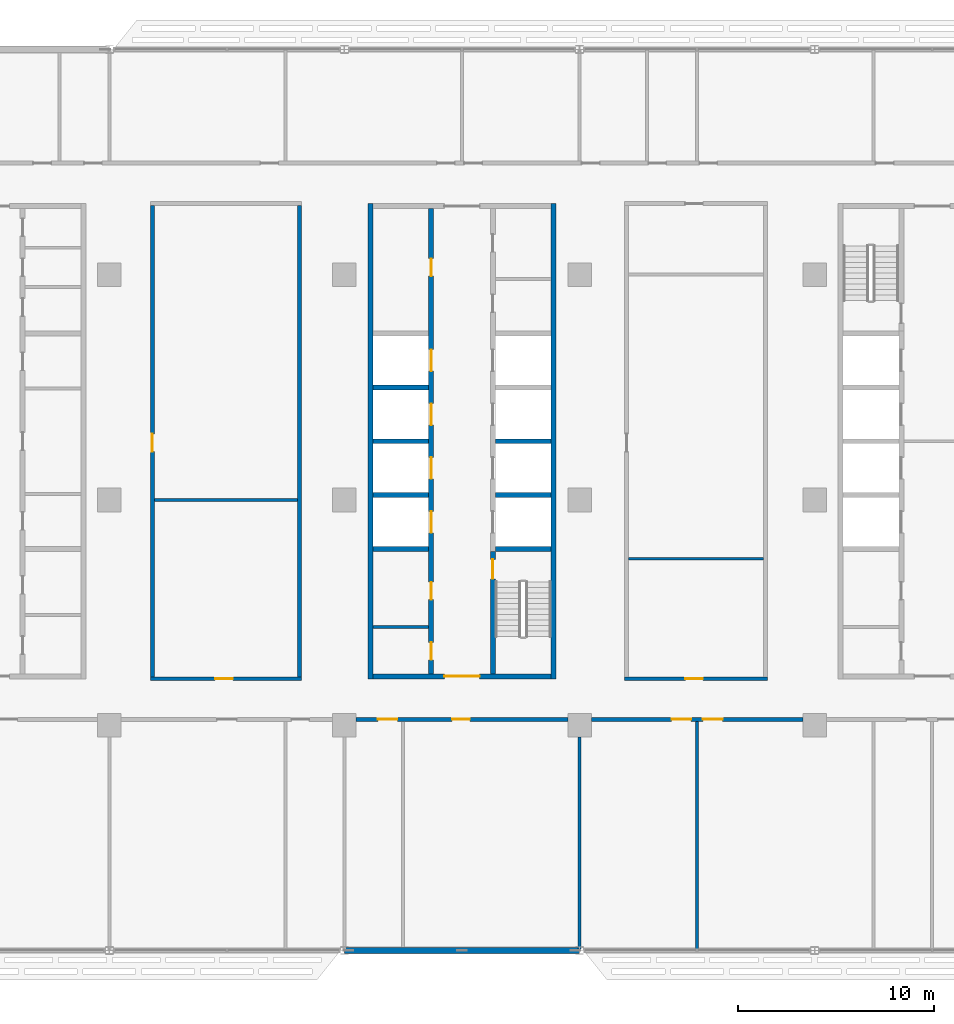
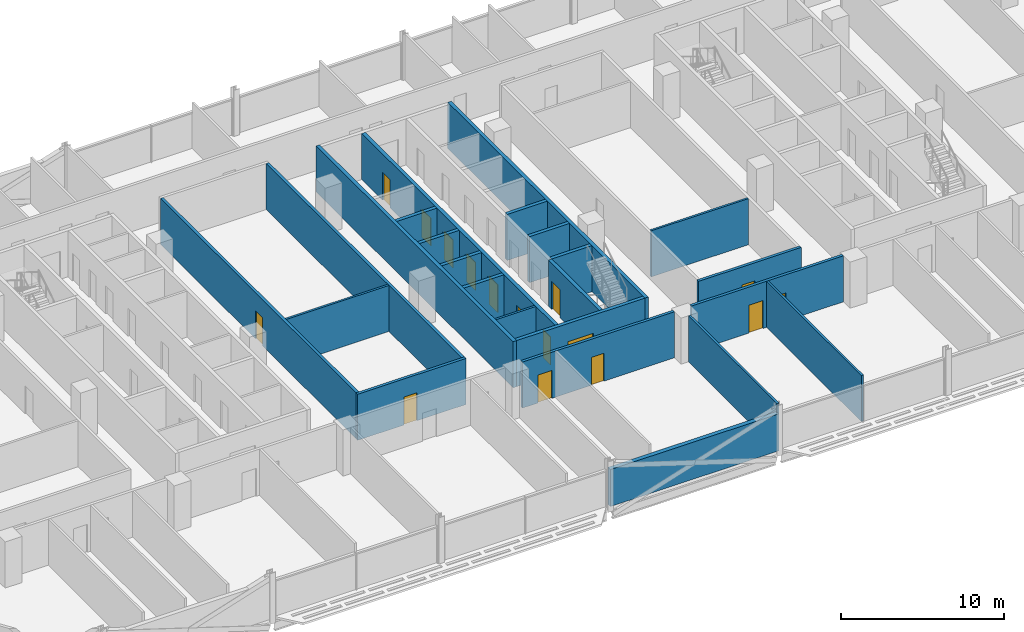
# One storey, part 12 of 27: 24 walls, 16 doors, 16 openings.
"""IFC4 building model written with IfcOpenShell, lengths in metres."""

from ifc_helpers import new_model, si_unit, direction, frame, frame_2d, origin, place, context, subcontext, project, spatial, rectangle, extrude, material, layer, layer_set, type_object, element, fill, save


model = new_model("IFC4")

# Units and contexts
model_context = context("Model", 3, precision=1e-05, world=origin(), true_north=direction((0.0, 1.0)))
body_context = subcontext(model_context, "Body", "Model", "MODEL_VIEW")
ifc_project = project(units=[si_unit("LENGTHUNIT", "METRE"), si_unit("AREAUNIT", "SQUARE_METRE"), si_unit("VOLUMEUNIT", "CUBIC_METRE"), si_unit("PLANEANGLEUNIT", "RADIAN"), si_unit("MASSUNIT", "GRAM", prefix="KILO")], contexts=[model_context])

# Site, building, storey
site_placement = place(None, origin())
site = spatial("IfcSite", under=ifc_project, at=site_placement, CompositionType="ELEMENT")
building_placement = place(site_placement, origin())
building = spatial("IfcBuilding", under=site, at=building_placement, Name="Mahtab Terrace Research Tower", CompositionType="ELEMENT")
storey_placement = place(building_placement, frame((0.0, 0.0, 182.0)))
storey = spatial("IfcBuildingStorey", under=building, at=storey_placement, Name="L43", CompositionType="ELEMENT", Elevation=182.0)

# Walls
ifc_material_1 = material(Name="Gypsum board partition")
ifc_layer_1 = layer(ifc_material_1, 0.14990234375)
ifc_layer_set_1 = layer_set([ifc_layer_1], Name="Core partition 150")
wall_type_1 = type_object("IfcWallType", Name="Core partition 150", PredefinedType="PARTITIONING", material=ifc_layer_set_1)
wall_1_placement = place(storey_placement, frame((-4.550048828125, -6.47509765625, 0.0), z_axis=(0.0, 0.0, 1.0), x_axis=(1.0, 0.0, 0.0)))
element("IfcWall", 1, at=wall_1_placement, inside=storey, type_object=wall_type_1, Name="Core wall B pWS-948", PredefinedType="PARTITIONING", context=body_context, shape_type="SweptSolid", body=[
    extrude(rectangle(XDim=2.85009765625, YDim=0.14990234375, at=frame_2d((1.425048828125, 0.0))), origin(), (0.0, 0.0, 1.0), 3.4599609375),
])
ifc_material_2 = material(Name="Concrete C70/85", Category="concrete")
ifc_layer_2 = layer(ifc_material_2, 0.25)
ifc_layer_set_2 = layer_set([ifc_layer_2], Name="Core wall 250")
wall_type_2 = type_object("IfcWallType", Name="Core wall 250", PredefinedType="SOLIDWALL", material=ifc_layer_set_2)
for number, where, z_axis, x_axis, name in (
    (2, (-4.675048828125, 15.125, 0.0), (0.0, 0.0, 1.0), (0.0, -1.0, 0.0), "Core wall B outerW"),
    (3, (4.675048828125, -9.125, 0.0), (0.0, 0.0, 1.0), (0.0, 1.0, 0.0), "Core wall B outerE"),
):
    element("IfcWall", number, at=place(storey_placement, frame(where, z_axis=z_axis, x_axis=x_axis)), inside=storey, type_object=wall_type_2, Name=name, PredefinedType="SOLIDWALL", context=body_context, shape_type="SweptSolid", body=[
        extrude(rectangle(XDim=24.25, YDim=0.25, at=frame_2d((12.125, 0.0))), origin(), (0.0, 0.0, 1.0), 3.4599609375),
    ])

# Wall, opening, door
wall_2_placement = place(storey_placement, frame((4.550048828125, -9.0, 0.0), z_axis=(0.0, 0.0, 1.0), x_axis=(-1.0, 0.0, 0.0)))
wall_2 = element("IfcWall", 4, at=wall_2_placement, inside=storey, type_object=wall_type_2, Name="Core wall B endS", PredefinedType="SOLIDWALL", context=body_context, shape_type="SweptSolid", body=[
    extrude(rectangle(XDim=9.10009765625, YDim=0.25, at=frame_2d((4.550048828125, 0.0))), origin(), (0.0, 0.0, 1.0), 3.4599609375),
])
opening_1_placement = place(wall_2_placement, frame((3.64990234375, 0.0, 0.0)))
opening_1 = element("IfcOpeningElement", 5, at=opening_1_placement, cuts=wall_2, Name="Opening B-S1", PredefinedType="OPENING", context=body_context, shape_type="SweptSolid", body=[
    extrude(rectangle(XDim=1.800048828125, YDim=2.10009765625, at=frame_2d((0.89990234375, 1.050048828125))), frame((0.0, 0.135009765625, 0.0), z_axis=(0.0, -1.0, 0.0), x_axis=(1.0, 0.0, 0.0)), (0.0, 0.0, 1.0), 0.27001953125),
])
ifc_material_3 = material(Name="Steel fire door", Category="steel")
door_type_1 = type_object("IfcDoorType", Name="Lobby double door 1800x2100 1 HR", OperationType="DOUBLE_DOOR_SINGLE_SWING", PredefinedType="DOOR", material=ifc_material_3)
door_1_placement = place(opening_1_placement, origin())
door_1 = element("IfcDoor", 6, at=door_1_placement, inside=storey, type_object=door_type_1, Name="Core entrance door B S", OperationType="DOUBLE_DOOR_SINGLE_SWING", OverallHeight=2.10009765625, OverallWidth=1.800048828125, PredefinedType="DOOR", context=body_context, shape_type="SweptSolid", body=[
    extrude(rectangle(XDim=1.800048828125, YDim=2.10009765625, at=frame_2d((0.89990234375, 1.050048828125))), frame((0.0, 0.02490234375, 0.0), z_axis=(0.0, -1.0, 0.0), x_axis=(1.0, 0.0, 0.0)), (0.0, 0.0, 1.0), 0.050048828125),
])
fill(opening_1, door_1)

# Wall, openings, doors
wall_3_placement = place(storey_placement, frame((-1.574951171875, -8.875, 0.0), z_axis=(0.0, 0.0, 1.0), x_axis=(0.0, 1.0, 0.0)))
wall_3 = element("IfcWall", 7, at=wall_3_placement, inside=storey, type_object=wall_type_2, Name="Core wall B innerWSLN", PredefinedType="SOLIDWALL", context=body_context, shape_type="SweptSolid", body=[
    extrude(rectangle(XDim=23.75, YDim=0.25, at=frame_2d((11.875, 0.0))), origin(), (0.0, 0.0, 1.0), 3.4599609375),
])
opening_2_placement = place(wall_3_placement, frame((7.199951171875, 0.0, 0.0)))
opening_2 = element("IfcOpeningElement", 8, at=opening_2_placement, cuts=wall_3, Name="Opening LD09-L43", PredefinedType="OPENING", context=body_context, shape_type="SweptSolid", body=[
    extrude(rectangle(XDim=1.10009765625, YDim=2.10009765625, at=frame_2d((0.550048828125, 1.050048828125))), frame((0.0, 0.135009765625, 0.0), z_axis=(0.0, -1.0, 0.0), x_axis=(1.0, 0.0, 0.0)), (0.0, 0.0, 1.0), 0.27001953125),
])
opening_3_placement = place(wall_3_placement, frame((9.949951171875, 0.0, 0.0)))
opening_3 = element("IfcOpeningElement", 9, at=opening_3_placement, cuts=wall_3, Name="Opening LD10-L43", PredefinedType="OPENING", context=body_context, shape_type="SweptSolid", body=[
    extrude(rectangle(XDim=1.10009765625, YDim=2.10009765625, at=frame_2d((0.550048828125, 1.050048828125))), frame((0.0, 0.135009765625, 0.0), z_axis=(0.0, -1.0, 0.0), x_axis=(1.0, 0.0, 0.0)), (0.0, 0.0, 1.0), 0.27001953125),
])
opening_4_placement = place(wall_3_placement, frame((12.699951171875, 0.0, 0.0)))
opening_4 = element("IfcOpeningElement", 10, at=opening_4_placement, cuts=wall_3, Name="Opening LD11-L43", PredefinedType="OPENING", context=body_context, shape_type="SweptSolid", body=[
    extrude(rectangle(XDim=1.10009765625, YDim=2.10009765625, at=frame_2d((0.550048828125, 1.050048828125))), frame((0.0, 0.135009765625, 0.0), z_axis=(0.0, -1.0, 0.0), x_axis=(1.0, 0.0, 0.0)), (0.0, 0.0, 1.0), 0.27001953125),
])
opening_5_placement = place(wall_3_placement, frame((15.449951171875, 0.0, 0.0)))
opening_5 = element("IfcOpeningElement", 11, at=opening_5_placement, cuts=wall_3, Name="Opening LD12-L43", PredefinedType="OPENING", context=body_context, shape_type="SweptSolid", body=[
    extrude(rectangle(XDim=1.10009765625, YDim=2.10009765625, at=frame_2d((0.550048828125, 1.050048828125))), frame((0.0, 0.135009765625, 0.0), z_axis=(0.0, -1.0, 0.0), x_axis=(1.0, 0.0, 0.0)), (0.0, 0.0, 1.0), 0.27001953125),
])
opening_6_placement = place(wall_3_placement, frame((0.71240234375, 0.0, 0.0)))
opening_6 = element("IfcOpeningElement", 12, at=opening_6_placement, cuts=wall_3, Name="Opening B-R1", PredefinedType="OPENING", context=body_context, shape_type="SweptSolid", body=[
    extrude(rectangle(XDim=0.89990234375, YDim=2.10009765625, at=frame_2d((0.449951171875, 1.050048828125))), frame((0.0, 0.135009765625, 0.0), z_axis=(0.0, -1.0, 0.0), x_axis=(1.0, 0.0, 0.0)), (0.0, 0.0, 1.0), 0.27001953125),
])
opening_7_placement = place(wall_3_placement, frame((3.78759765625, 0.0, 0.0)))
opening_7 = element("IfcOpeningElement", 13, at=opening_7_placement, cuts=wall_3, Name="Opening B-R2", PredefinedType="OPENING", context=body_context, shape_type="SweptSolid", body=[
    extrude(rectangle(XDim=0.89990234375, YDim=2.10009765625, at=frame_2d((0.449951171875, 1.050048828125))), frame((0.0, 0.135009765625, 0.0), z_axis=(0.0, -1.0, 0.0), x_axis=(1.0, 0.0, 0.0)), (0.0, 0.0, 1.0), 0.27001953125),
])
opening_8_placement = place(wall_3_placement, frame((20.300048828125, 0.0, 0.0)))
opening_8 = element("IfcOpeningElement", 14, at=opening_8_placement, cuts=wall_3, Name="Opening B-R3", PredefinedType="OPENING", context=body_context, shape_type="SweptSolid", body=[
    extrude(rectangle(XDim=0.89990234375, YDim=2.10009765625, at=frame_2d((0.449951171875, 1.050048828125))), frame((0.0, 0.135009765625, 0.0), z_axis=(0.0, -1.0, 0.0), x_axis=(1.0, 0.0, 0.0)), (0.0, 0.0, 1.0), 0.27001953125),
])
ifc_material_4 = material(Name="Stainless steel AISI 304", Category="steel")
door_type_2 = type_object("IfcDoorType", Name="Landing door 1100x2100", OperationType="DOUBLE_DOOR_SLIDING", PredefinedType="DOOR", material=ifc_material_4)
door_2_placement = place(opening_2_placement, origin())
door_2 = element("IfcDoor", 15, at=door_2_placement, inside=storey, type_object=door_type_2, Name="Landing door HR1 L43", OperationType="DOUBLE_DOOR_SLIDING", OverallHeight=2.10009765625, OverallWidth=1.10009765625, PredefinedType="DOOR", context=body_context, shape_type="SweptSolid", body=[
    extrude(rectangle(XDim=1.10009765625, YDim=2.10009765625, at=frame_2d((0.550048828125, 1.050048828125))), frame((0.0, 0.02490234375, 0.0), z_axis=(0.0, -1.0, 0.0), x_axis=(1.0, 0.0, 0.0)), (0.0, 0.0, 1.0), 0.050048828125),
])
fill(opening_2, door_2)
door_3_placement = place(opening_3_placement, origin())
door_3 = element("IfcDoor", 16, at=door_3_placement, inside=storey, type_object=door_type_2, Name="Landing door HR2 L43", OperationType="DOUBLE_DOOR_SLIDING", OverallHeight=2.10009765625, OverallWidth=1.10009765625, PredefinedType="DOOR", context=body_context, shape_type="SweptSolid", body=[
    extrude(rectangle(XDim=1.10009765625, YDim=2.10009765625, at=frame_2d((0.550048828125, 1.050048828125))), frame((0.0, 0.02490234375, 0.0), z_axis=(0.0, -1.0, 0.0), x_axis=(1.0, 0.0, 0.0)), (0.0, 0.0, 1.0), 0.050048828125),
])
fill(opening_3, door_3)
door_4_placement = place(opening_4_placement, origin())
door_4 = element("IfcDoor", 17, at=door_4_placement, inside=storey, type_object=door_type_2, Name="Landing door HR3 L43", OperationType="DOUBLE_DOOR_SLIDING", OverallHeight=2.10009765625, OverallWidth=1.10009765625, PredefinedType="DOOR", context=body_context, shape_type="SweptSolid", body=[
    extrude(rectangle(XDim=1.10009765625, YDim=2.10009765625, at=frame_2d((0.550048828125, 1.050048828125))), frame((0.0, 0.02490234375, 0.0), z_axis=(0.0, -1.0, 0.0), x_axis=(1.0, 0.0, 0.0)), (0.0, 0.0, 1.0), 0.050048828125),
])
fill(opening_4, door_4)
door_5_placement = place(opening_5_placement, origin())
door_5 = element("IfcDoor", 18, at=door_5_placement, inside=storey, type_object=door_type_2, Name="Landing door HR4 L43", OperationType="DOUBLE_DOOR_SLIDING", OverallHeight=2.10009765625, OverallWidth=1.10009765625, PredefinedType="DOOR", context=body_context, shape_type="SweptSolid", body=[
    extrude(rectangle(XDim=1.10009765625, YDim=2.10009765625, at=frame_2d((0.550048828125, 1.050048828125))), frame((0.0, 0.02490234375, 0.0), z_axis=(0.0, -1.0, 0.0), x_axis=(1.0, 0.0, 0.0)), (0.0, 0.0, 1.0), 0.050048828125),
])
fill(opening_5, door_5)
door_type_3 = type_object("IfcDoorType", Name="Room door 900x2100 1 HR", OperationType="NOTDEFINED", PredefinedType="DOOR", material=ifc_material_3)
door_6_placement = place(opening_6_placement, origin())
door_6 = element("IfcDoor", 19, at=door_6_placement, inside=storey, type_object=door_type_3, Name="Mechanical riser room door", OperationType="SINGLE_SWING_LEFT", OverallHeight=2.10009765625, OverallWidth=0.89990234375, PredefinedType="DOOR", context=body_context, shape_type="SweptSolid", body=[
    extrude(rectangle(XDim=0.89990234375, YDim=2.10009765625, at=frame_2d((0.449951171875, 1.050048828125))), frame((0.0, 0.02490234375, 0.0), z_axis=(0.0, -1.0, 0.0), x_axis=(1.0, 0.0, 0.0)), (0.0, 0.0, 1.0), 0.050048828125),
])
fill(opening_6, door_6)
door_7_placement = place(opening_7_placement, origin())
door_7 = element("IfcDoor", 20, at=door_7_placement, inside=storey, type_object=door_type_3, Name="Chemical store door", OperationType="SINGLE_SWING_RIGHT", OverallHeight=2.10009765625, OverallWidth=0.89990234375, PredefinedType="DOOR", context=body_context, shape_type="SweptSolid", body=[
    extrude(rectangle(XDim=0.89990234375, YDim=2.10009765625, at=frame_2d((0.449951171875, 1.050048828125))), frame((0.0, 0.02490234375, 0.0), z_axis=(0.0, -1.0, 0.0), x_axis=(1.0, 0.0, 0.0)), (0.0, 0.0, 1.0), 0.050048828125),
])
fill(opening_7, door_7)
door_8_placement = place(opening_8_placement, origin())
door_8 = element("IfcDoor", 21, at=door_8_placement, inside=storey, type_object=door_type_3, Name="Gas cylinder store door", OperationType="SINGLE_SWING_LEFT", OverallHeight=2.10009765625, OverallWidth=0.89990234375, PredefinedType="DOOR", context=body_context, shape_type="SweptSolid", body=[
    extrude(rectangle(XDim=0.89990234375, YDim=2.10009765625, at=frame_2d((0.449951171875, 1.050048828125))), frame((0.0, 0.02490234375, 0.0), z_axis=(0.0, -1.0, 0.0), x_axis=(1.0, 0.0, 0.0)), (0.0, 0.0, 1.0), 0.050048828125),
])
fill(opening_8, door_8)

# Wall, opening, door
wall_4_placement = place(storey_placement, frame((1.574951171875, -8.875, 0.0), z_axis=(0.0, 0.0, 1.0), x_axis=(0.0, 1.0, 0.0)))
wall_4 = element("IfcWall", 22, at=wall_4_placement, inside=storey, type_object=wall_type_2, Name="Core wall B innerES", PredefinedType="SOLIDWALL", context=body_context, shape_type="SweptSolid", body=[
    extrude(rectangle(XDim=6.25, YDim=0.25, at=frame_2d((3.125, 0.0))), origin(), (0.0, 0.0, 1.0), 3.4599609375),
])
opening_9_placement = place(wall_4_placement, frame((4.85009765625, 0.0, 0.0)))
opening_9 = element("IfcOpeningElement", 23, at=opening_9_placement, cuts=wall_4, Name="Opening B-ST2", PredefinedType="OPENING", context=body_context, shape_type="SweptSolid", body=[
    extrude(rectangle(XDim=1.0, YDim=2.10009765625, at=frame_2d((0.5, 1.050048828125))), frame((0.0, 0.135009765625, 0.0), z_axis=(0.0, -1.0, 0.0), x_axis=(1.0, 0.0, 0.0)), (0.0, 0.0, 1.0), 0.27001953125),
])
door_type_4 = type_object("IfcDoorType", Name="Stair door 1000x2100 1.5 HR", OperationType="NOTDEFINED", PredefinedType="DOOR", material=ifc_material_3)
door_9_placement = place(opening_9_placement, origin())
door_9 = element("IfcDoor", 24, at=door_9_placement, inside=storey, type_object=door_type_4, Name="Stair door ST2 L43", OperationType="SINGLE_SWING_RIGHT", OverallHeight=2.10009765625, OverallWidth=1.0, PredefinedType="DOOR", context=body_context, shape_type="SweptSolid", body=[
    extrude(rectangle(XDim=1.0, YDim=2.10009765625, at=frame_2d((0.5, 1.050048828125))), frame((0.0, 0.02490234375, 0.0), z_axis=(0.0, -1.0, 0.0), x_axis=(1.0, 0.0, 0.0)), (0.0, 0.0, 1.0), 0.050048828125),
])
fill(opening_9, door_9)

# Walls
for number, where, z_axis, x_axis, name in (
    (25, (-4.550048828125, -2.5, 0.0), (0.0, 0.0, 1.0), (1.0, 0.0, 0.0), "Core wall B divW0"),
    (26, (-4.550048828125, 0.25, 0.0), (0.0, 0.0, 1.0), (1.0, 0.0, 0.0), "Core wall B divW1"),
    (27, (-4.550048828125, 3.0, 0.0), (0.0, 0.0, 1.0), (1.0, 0.0, 0.0), "Core wall B divW2"),
    (28, (-4.550048828125, 5.75, 0.0), (0.0, 0.0, 1.0), (1.0, 0.0, 0.0), "Core wall B divW3"),
    (29, (1.699951171875, -2.5, 0.0), (0.0, 0.0, 1.0), (1.0, 0.0, 0.0), "Core wall B divE0"),
    (30, (1.699951171875, 0.25, 0.0), (0.0, 0.0, 1.0), (1.0, 0.0, 0.0), "Core wall B divE1"),
    (31, (1.699951171875, 3.0, 0.0), (0.0, 0.0, 1.0), (1.0, 0.0, 0.0), "Core wall B divE2"),
):
    element("IfcWall", number, at=place(storey_placement, frame(where, z_axis=z_axis, x_axis=x_axis)), inside=storey, type_object=wall_type_2, Name=name, PredefinedType="SOLIDWALL", context=body_context, shape_type="SweptSolid", body=[
        extrude(rectangle(XDim=2.85009765625, YDim=0.25, at=frame_2d((1.425048828125, 0.0))), origin(), (0.0, 0.0, 1.0), 3.4599609375),
    ])
ifc_material_5 = material(Name="Black aluminium cladding panel", Category="aluminium")
ifc_layer_3 = layer(ifc_material_5, 0.300048828125)
ifc_layer_set_3 = layer_set([ifc_layer_3], Name="Opaque facade wall 300")
wall_type_3 = type_object("IfcWallType", Name="Opaque facade wall 300", PredefinedType="NOTDEFINED", material=ifc_layer_set_3)
wall_5_placement = place(storey_placement, frame((-5.985107421875, -23.0, 0.0), z_axis=(0.0, 0.0, 1.0), x_axis=(1.0, 0.0, 0.0)))
element("IfcWall", 32, at=wall_5_placement, inside=storey, type_object=wall_type_3, Name="Opaque facade wall L43 S26", PredefinedType="NOTDEFINED", context=body_context, shape_type="SweptSolid", body=[
    extrude(rectangle(XDim=11.97021484375, YDim=0.300048828125, at=frame_2d((5.985107421875, 0.0))), origin(), (0.0, 0.0, 1.0), 2.78173828125),
])

# Wall, openings, doors
ifc_material_6 = material(Name="Gypsum board corridor wall on steel studs", Category="steel")
ifc_layer_4 = layer(ifc_material_6, 0.199951171875)
ifc_layer_set_4 = layer_set([ifc_layer_4], Name="WALL CORRIDOR 200")
wall_type_4 = type_object("IfcWallType", Name="WALL CORRIDOR 200", PredefinedType="PARTITIONING", material=ifc_layer_set_4)
wall_6_placement = place(storey_placement, frame((-5.39990234375, -11.199951171875, 0.0), z_axis=(0.0, 0.0, 1.0), x_axis=(1.0, 0.0, 0.0)))
wall_6 = element("IfcWall", 33, at=wall_6_placement, inside=storey, type_object=wall_type_4, Name="L43-W005", PredefinedType="PARTITIONING", context=body_context, shape_type="SweptSolid", body=[
    extrude(rectangle(XDim=10.7998046875, YDim=0.199951171875, at=frame_2d((5.39990234375, 0.0))), origin(), (0.0, 0.0, 1.0), 3.4599609375),
])
opening_10_placement = place(wall_6_placement, frame((1.10009765625, 0.0, 0.0)))
opening_10 = element("IfcOpeningElement", 34, at=opening_10_placement, cuts=wall_6, Name="Opening L43-108", PredefinedType="OPENING", context=body_context, shape_type="SweptSolid", body=[
    extrude(rectangle(XDim=1.0, YDim=2.10009765625, at=frame_2d((0.5, 1.050048828125))), frame((0.0, 0.10986328125, 0.0), z_axis=(0.0, -1.0, 0.0), x_axis=(1.0, 0.0, 0.0)), (0.0, 0.0, 1.0), 0.219970703125),
])
opening_11_placement = place(wall_6_placement, frame((4.89990234375, 0.0, 0.0)))
opening_11 = element("IfcOpeningElement", 35, at=opening_11_placement, cuts=wall_6, Name="Opening L43-109", PredefinedType="OPENING", context=body_context, shape_type="SweptSolid", body=[
    extrude(rectangle(XDim=0.89990234375, YDim=2.10009765625, at=frame_2d((0.449951171875, 1.050048828125))), frame((0.0, 0.10986328125, 0.0), z_axis=(0.0, -1.0, 0.0), x_axis=(1.0, 0.0, 0.0)), (0.0, 0.0, 1.0), 0.219970703125),
])
ifc_material_7 = material(Name="Timber door leaf in steel frame", Category="steel")
door_type_5 = type_object("IfcDoorType", Name="DOOR 0900X2100 FD30S", OperationType="SINGLE_SWING_LEFT", PredefinedType="DOOR", material=ifc_material_7)
door_10_placement = place(opening_11_placement, origin())
door_10 = element("IfcDoor", 36, at=door_10_placement, inside=storey, type_object=door_type_5, Name="Door L43-109", OperationType="SINGLE_SWING_RIGHT", OverallHeight=2.10009765625, OverallWidth=0.89990234375, PredefinedType="DOOR", context=body_context, shape_type="SweptSolid", body=[
    extrude(rectangle(XDim=0.89990234375, YDim=2.10009765625, at=frame_2d((0.449951171875, 1.050048828125))), frame((0.0, 0.02490234375, 0.0), z_axis=(0.0, -1.0, 0.0), x_axis=(1.0, 0.0, 0.0)), (0.0, 0.0, 1.0), 0.050048828125),
])
fill(opening_11, door_10)
door_type_6 = type_object("IfcDoorType", Name="DOOR 1000X2100 FD30S", OperationType="SINGLE_SWING_LEFT", PredefinedType="DOOR", material=ifc_material_7)
door_11_placement = place(opening_10_placement, origin())
door_11 = element("IfcDoor", 37, at=door_11_placement, inside=storey, type_object=door_type_6, Name="Door L43-108", OperationType="SINGLE_SWING_RIGHT", OverallHeight=2.10009765625, OverallWidth=1.0, PredefinedType="DOOR", context=body_context, shape_type="SweptSolid", body=[
    extrude(rectangle(XDim=1.0, YDim=2.10009765625, at=frame_2d((0.5, 1.050048828125))), frame((0.0, 0.02490234375, 0.0), z_axis=(0.0, -1.0, 0.0), x_axis=(1.0, 0.0, 0.0)), (0.0, 0.0, 1.0), 0.050048828125),
])
fill(opening_10, door_11)

wall_7_placement = place(storey_placement, frame((6.60009765625, -11.199951171875, 0.0), z_axis=(0.0, 0.0, 1.0), x_axis=(1.0, 0.0, 0.0)))
wall_7 = element("IfcWall", 38, at=wall_7_placement, inside=storey, type_object=wall_type_4, Name="L43-W006", PredefinedType="PARTITIONING", context=body_context, shape_type="SweptSolid", body=[
    extrude(rectangle(XDim=10.7998046875, YDim=0.199951171875, at=frame_2d((5.39990234375, 0.0))), origin(), (0.0, 0.0, 1.0), 3.4599609375),
])
opening_12_placement = place(wall_7_placement, frame((4.10009765625, 0.0, 0.0)))
opening_12 = element("IfcOpeningElement", 39, at=opening_12_placement, cuts=wall_7, Name="Opening L43-110", PredefinedType="OPENING", context=body_context, shape_type="SweptSolid", body=[
    extrude(rectangle(XDim=1.0, YDim=2.10009765625, at=frame_2d((0.5, 1.050048828125))), frame((0.0, 0.10986328125, 0.0), z_axis=(0.0, -1.0, 0.0), x_axis=(1.0, 0.0, 0.0)), (0.0, 0.0, 1.0), 0.219970703125),
])
opening_13_placement = place(wall_7_placement, frame((5.699951171875, 0.0, 0.0)))
opening_13 = element("IfcOpeningElement", 40, at=opening_13_placement, cuts=wall_7, Name="Opening L43-111", PredefinedType="OPENING", context=body_context, shape_type="SweptSolid", body=[
    extrude(rectangle(XDim=1.0, YDim=2.10009765625, at=frame_2d((0.5, 1.050048828125))), frame((0.0, 0.10986328125, 0.0), z_axis=(0.0, -1.0, 0.0), x_axis=(1.0, 0.0, 0.0)), (0.0, 0.0, 1.0), 0.219970703125),
])
door_12_placement = place(opening_12_placement, origin())
door_12 = element("IfcDoor", 41, at=door_12_placement, inside=storey, type_object=door_type_6, Name="Door L43-110", OperationType="SINGLE_SWING_RIGHT", OverallHeight=2.10009765625, OverallWidth=1.0, PredefinedType="DOOR", context=body_context, shape_type="SweptSolid", body=[
    extrude(rectangle(XDim=1.0, YDim=2.10009765625, at=frame_2d((0.5, 1.050048828125))), frame((0.0, 0.02490234375, 0.0), z_axis=(0.0, -1.0, 0.0), x_axis=(1.0, 0.0, 0.0)), (0.0, 0.0, 1.0), 0.050048828125),
])
fill(opening_12, door_12)
door_13_placement = place(opening_13_placement, origin())
door_13 = element("IfcDoor", 42, at=door_13_placement, inside=storey, type_object=door_type_6, Name="Door L43-111", OperationType="SINGLE_SWING_LEFT", OverallHeight=2.10009765625, OverallWidth=1.0, PredefinedType="DOOR", context=body_context, shape_type="SweptSolid", body=[
    extrude(rectangle(XDim=1.0, YDim=2.10009765625, at=frame_2d((0.5, 1.050048828125))), frame((0.0, 0.02490234375, 0.0), z_axis=(0.0, -1.0, 0.0), x_axis=(1.0, 0.0, 0.0)), (0.0, 0.0, 1.0), 0.050048828125),
])
fill(opening_13, door_13)

# Wall, opening, door
wall_8_placement = place(storey_placement, frame((-15.89990234375, -9.125, 0.0), z_axis=(0.0, 0.0, 1.0), x_axis=(1.0, 0.0, 0.0)))
wall_8 = element("IfcWall", 43, at=wall_8_placement, inside=storey, type_object=wall_type_4, Name="L43-W011", PredefinedType="PARTITIONING", context=body_context, shape_type="SweptSolid", body=[
    extrude(rectangle(XDim=7.699951171875, YDim=0.199951171875, at=frame_2d((3.85009765625, 0.0))), origin(), (0.0, 0.0, 1.0), 3.4599609375),
])
opening_14_placement = place(wall_8_placement, frame((3.300048828125, 0.0, 0.0)))
opening_14 = element("IfcOpeningElement", 44, at=opening_14_placement, cuts=wall_8, Name="Opening L43-119", PredefinedType="OPENING", context=body_context, shape_type="SweptSolid", body=[
    extrude(rectangle(XDim=0.89990234375, YDim=2.10009765625, at=frame_2d((0.449951171875, 1.050048828125))), frame((0.0, 0.10986328125, 0.0), z_axis=(0.0, -1.0, 0.0), x_axis=(1.0, 0.0, 0.0)), (0.0, 0.0, 1.0), 0.219970703125),
])
door_14_placement = place(opening_14_placement, origin())
door_14 = element("IfcDoor", 45, at=door_14_placement, inside=storey, type_object=door_type_5, Name="Door L43-119", OperationType="SINGLE_SWING_LEFT", OverallHeight=2.10009765625, OverallWidth=0.89990234375, PredefinedType="DOOR", context=body_context, shape_type="SweptSolid", body=[
    extrude(rectangle(XDim=0.89990234375, YDim=2.10009765625, at=frame_2d((0.449951171875, 1.050048828125))), frame((0.0, 0.02490234375, 0.0), z_axis=(0.0, -1.0, 0.0), x_axis=(1.0, 0.0, 0.0)), (0.0, 0.0, 1.0), 0.050048828125),
])
fill(opening_14, door_14)

wall_9_placement = place(storey_placement, frame((8.300048828125, -9.125, 0.0), z_axis=(0.0, 0.0, 1.0), x_axis=(1.0, 0.0, 0.0)))
wall_9 = element("IfcWall", 46, at=wall_9_placement, inside=storey, type_object=wall_type_4, Name="L43-W012", PredefinedType="PARTITIONING", context=body_context, shape_type="SweptSolid", body=[
    extrude(rectangle(XDim=7.300048828125, YDim=0.199951171875, at=frame_2d((3.64990234375, 0.0))), origin(), (0.0, 0.0, 1.0), 3.4599609375),
])
opening_15_placement = place(wall_9_placement, frame((3.10009765625, 0.0, 0.0)))
opening_15 = element("IfcOpeningElement", 47, at=opening_15_placement, cuts=wall_9, Name="Opening L43-118", PredefinedType="OPENING", context=body_context, shape_type="SweptSolid", body=[
    extrude(rectangle(XDim=0.89990234375, YDim=2.10009765625, at=frame_2d((0.449951171875, 1.050048828125))), frame((0.0, 0.10986328125, 0.0), z_axis=(0.0, -1.0, 0.0), x_axis=(1.0, 0.0, 0.0)), (0.0, 0.0, 1.0), 0.219970703125),
])
door_15_placement = place(opening_15_placement, origin())
door_15 = element("IfcDoor", 48, at=door_15_placement, inside=storey, type_object=door_type_5, Name="Door L43-118", OperationType="SINGLE_SWING_LEFT", OverallHeight=2.10009765625, OverallWidth=0.89990234375, PredefinedType="DOOR", context=body_context, shape_type="SweptSolid", body=[
    extrude(rectangle(XDim=0.89990234375, YDim=2.10009765625, at=frame_2d((0.449951171875, 1.050048828125))), frame((0.0, 0.02490234375, 0.0), z_axis=(0.0, -1.0, 0.0), x_axis=(1.0, 0.0, 0.0)), (0.0, 0.0, 1.0), 0.050048828125),
])
fill(opening_15, door_15)

wall_10_placement = place(storey_placement, frame((-15.800048828125, -9.02490234375, 0.0), z_axis=(0.0, 0.0, 1.0), x_axis=(0.0, 1.0, 0.0)))
wall_10 = element("IfcWall", 49, at=wall_10_placement, inside=storey, type_object=wall_type_4, Name="L43-W038", PredefinedType="PARTITIONING", context=body_context, shape_type="SweptSolid", body=[
    extrude(rectangle(XDim=24.0498046875, YDim=0.199951171875, at=frame_2d((12.02490234375, 0.0))), origin(), (0.0, 0.0, 1.0), 3.4599609375),
])
opening_16_placement = place(wall_10_placement, frame((11.5, 0.0, 0.0)))
opening_16 = element("IfcOpeningElement", 50, at=opening_16_placement, cuts=wall_10, Name="Opening L43-124", PredefinedType="OPENING", context=body_context, shape_type="SweptSolid", body=[
    extrude(rectangle(XDim=0.89990234375, YDim=2.10009765625, at=frame_2d((0.449951171875, 1.050048828125))), frame((0.0, 0.10986328125, 0.0), z_axis=(0.0, -1.0, 0.0), x_axis=(1.0, 0.0, 0.0)), (0.0, 0.0, 1.0), 0.219970703125),
])
door_16_placement = place(opening_16_placement, origin())
door_16 = element("IfcDoor", 51, at=door_16_placement, inside=storey, type_object=door_type_5, Name="Door L43-124", OperationType="SINGLE_SWING_RIGHT", OverallHeight=2.10009765625, OverallWidth=0.89990234375, PredefinedType="DOOR", context=body_context, shape_type="SweptSolid", body=[
    extrude(rectangle(XDim=0.89990234375, YDim=2.10009765625, at=frame_2d((0.449951171875, 1.050048828125))), frame((0.0, 0.02490234375, 0.0), z_axis=(0.0, -1.0, 0.0), x_axis=(1.0, 0.0, 0.0)), (0.0, 0.0, 1.0), 0.050048828125),
])
fill(opening_16, door_16)

# Walls
wall_11_placement = place(storey_placement, frame((-8.300048828125, -9.02490234375, 0.0), z_axis=(0.0, 0.0, 1.0), x_axis=(0.0, 1.0, 0.0)))
element("IfcWall", 52, at=wall_11_placement, inside=storey, type_object=wall_type_4, Name="L43-W041", PredefinedType="PARTITIONING", context=body_context, shape_type="SweptSolid", body=[
    extrude(rectangle(XDim=24.0498046875, YDim=0.199951171875, at=frame_2d((12.02490234375, 0.0))), origin(), (0.0, 0.0, 1.0), 3.4599609375),
])
ifc_material_8 = material(Name="Gypsum board partition on steel studs", Category="steel")
ifc_layer_5 = layer(ifc_material_8, 0.14990234375)
ifc_layer_set_5 = layer_set([ifc_layer_5], Name="WALL PARTITION 150")
wall_type_5 = type_object("IfcWallType", Name="WALL PARTITION 150", PredefinedType="PARTITIONING", material=ifc_layer_set_5)
wall_12_placement = place(storey_placement, frame((8.5, -3.0, 0.0), z_axis=(0.0, 0.0, 1.0), x_axis=(1.0, 0.0, 0.0)))
element("IfcWall", 53, at=wall_12_placement, inside=storey, type_object=wall_type_5, Name="L43-W015", PredefinedType="PARTITIONING", context=body_context, shape_type="SweptSolid", body=[
    extrude(rectangle(XDim=6.89990234375, YDim=0.14990234375, at=frame_2d((3.449951171875, 0.0))), origin(), (0.0, 0.0, 1.0), 3.4599609375),
])
wall_13_placement = place(storey_placement, frame((-15.699951171875, 0.0, 0.0), z_axis=(0.0, 0.0, 1.0), x_axis=(1.0, 0.0, 0.0)))
element("IfcWall", 54, at=wall_13_placement, inside=storey, type_object=wall_type_5, Name="L43-W016", PredefinedType="PARTITIONING", context=body_context, shape_type="SweptSolid", body=[
    extrude(rectangle(XDim=7.300048828125, YDim=0.14990234375, at=frame_2d((3.64990234375, 0.0))), origin(), (0.0, 0.0, 1.0), 3.4599609375),
])
wall_14_placement = place(storey_placement, frame((6.0, -22.97509765625, 0.0), z_axis=(0.0, 0.0, 1.0), x_axis=(0.0, 1.0, 0.0)))
element("IfcWall", 55, at=wall_14_placement, inside=storey, type_object=wall_type_5, Name="L43-W045", PredefinedType="PARTITIONING", context=body_context, shape_type="SweptSolid", body=[
    extrude(rectangle(XDim=10.875, YDim=0.14990234375, at=frame_2d((5.4375, 0.0))), origin(), (0.0, 0.0, 1.0), 3.4599609375),
])
wall_15_placement = place(storey_placement, frame((12.0, -22.97509765625, 0.0), z_axis=(0.0, 0.0, 1.0), x_axis=(0.0, 1.0, 0.0)))
element("IfcWall", 56, at=wall_15_placement, inside=storey, type_object=wall_type_5, Name="L43-W049", PredefinedType="PARTITIONING", context=body_context, shape_type="SweptSolid", body=[
    extrude(rectangle(XDim=11.675048828125, YDim=0.14990234375, at=frame_2d((5.83740234375, 0.0))), origin(), (0.0, 0.0, 1.0), 3.4599609375),
])

save(model, "model.ifc")
